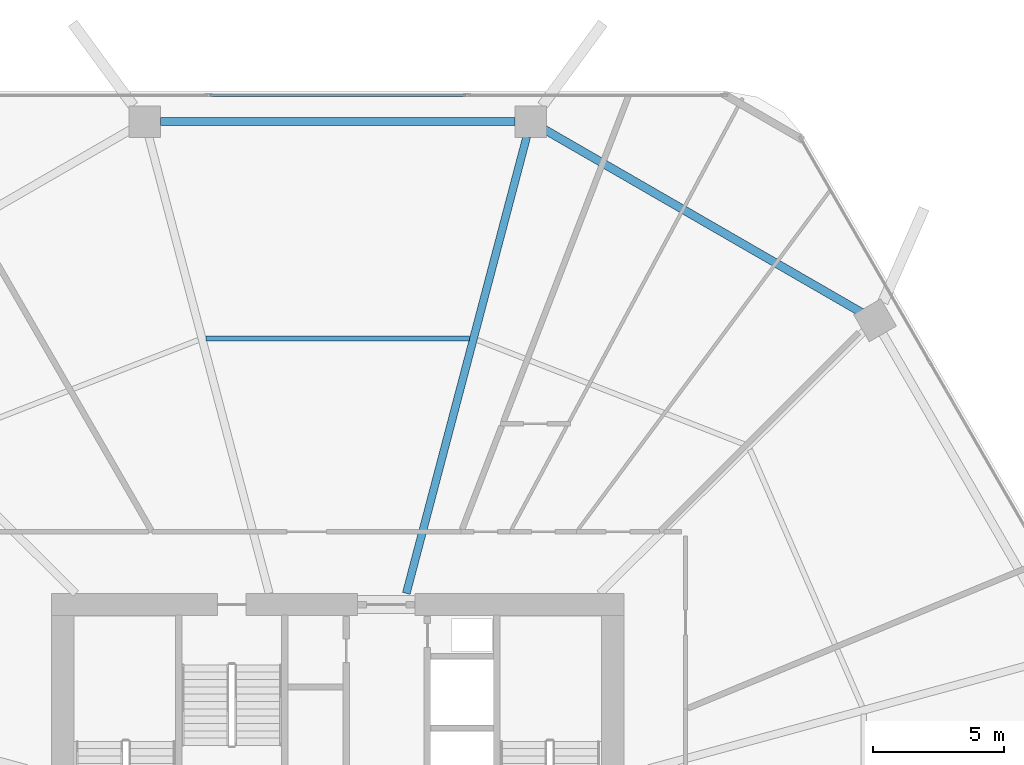
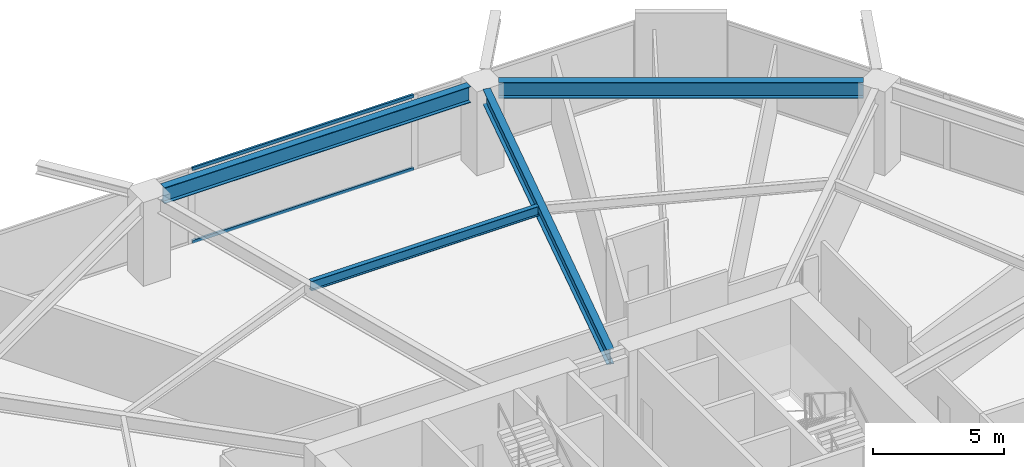
# One storey, part 18 of 25: 4 beams, 2 members, 1 element without a shape of its own.
"""IFC4 building model written with IfcOpenShell, lengths in metres."""

from ifc_helpers import new_model, si_unit, direction, frame, origin, origin_2d, place, context, subcontext, project, spatial, hollow_rectangle, i_section, extrude, material, material_profile, profile_set, type_object, element, aggregate, save


model = new_model("IFC4")

# Units and contexts
model_context = context("Model", 3, precision=1e-05, world=origin(), true_north=direction((0.0, 1.0)))
body_context = subcontext(model_context, "Body", "Model", "MODEL_VIEW")
ifc_project = project(units=[si_unit("LENGTHUNIT", "METRE"), si_unit("AREAUNIT", "SQUARE_METRE"), si_unit("VOLUMEUNIT", "CUBIC_METRE"), si_unit("PLANEANGLEUNIT", "RADIAN"), si_unit("MASSUNIT", "GRAM", prefix="KILO")], contexts=[model_context])

# Site, building, storey
site_placement = place(None, origin())
site = spatial("IfcSite", under=ifc_project, at=site_placement, CompositionType="ELEMENT")
building_placement = place(site_placement, origin())
building = spatial("IfcBuilding", under=site, at=building_placement, Name="Zuhravey Tower", CompositionType="ELEMENT")
storey_placement = place(building_placement, frame((0.0, 0.0, 70.800048828125)))
storey = spatial("IfcBuildingStorey", under=building, at=storey_placement, Name="L17", CompositionType="ELEMENT", Elevation=70.800048828125)

# Curtain wall, members
ifc_material_1 = material(Name="Thermally broken anodised aluminium", Category="aluminium")
curtain_wall_type = type_object("IfcCurtainWallType", Name="School Low-E Unitised Curtain Wall CW1", PredefinedType="NOTDEFINED", material=ifc_material_1)
curtain_wall_placement = place(storey_placement, origin())
curtain_wall = element("IfcCurtainWall", 1, at=curtain_wall_placement, inside=storey, type_object=curtain_wall_type, Name="L17 CW1 CW-L17-F2-1", PredefinedType="NOTDEFINED")
ifc_material_2 = material(Name="Anodised aluminium", Category="aluminium")
ifc_material_profile_1 = material_profile(ifc_material_2, hollow_rectangle(XDim=0.090087890625, YDim=0.14990234375, WallThickness=0.0048828125, at=origin_2d()), Name="ALU-RHS-90x150x5")
ifc_profile_set_1 = profile_set([ifc_material_profile_1], Name="Anodised aluminium")
member_type = type_object("IfcMemberType", Name="Curtain-Wall Transom 90x150", PredefinedType="USERDEFINED", material=ifc_profile_set_1)
member_1_placement = place(storey_placement, frame((31.11181640625, 60.95849609375, 0.044921875), z_axis=(1.0, 0.0, 0.0), x_axis=(0.0, 1.0, 0.0)))
member_1 = element("IfcMember", 2, at=member_1_placement, type_object=member_type, Name="CW1 transom 2.1", ObjectType="TRANSOM", PredefinedType="USERDEFINED", context=body_context, shape_type="SweptSolid", body=[
    extrude(hollow_rectangle(XDim=0.090087890625, YDim=0.14990234375, WallThickness=0.0048828125, at=origin_2d()), origin(), (0.0, 0.0, 1.0), 9.7763671875),
])
member_2_placement = place(storey_placement, frame((31.11181640625, 60.95849609375, 3.447021484375), z_axis=(1.0, 0.0, 0.0), x_axis=(0.0, 1.0, 0.0)))
member_2 = element("IfcMember", 3, at=member_2_placement, type_object=member_type, Name="CW1 transom 2.2", ObjectType="TRANSOM", PredefinedType="USERDEFINED", context=body_context, shape_type="SweptSolid", body=[
    extrude(hollow_rectangle(XDim=0.090087890625, YDim=0.14990234375, WallThickness=0.0048828125, at=origin_2d()), origin(), (0.0, 0.0, 1.0), 9.7763671875),
])
aggregate(curtain_wall, [member_1, member_2])

# Beams
ifc_material_3 = material(Name="Steel SM355", Category="steel")
ifc_material_profile_2 = material_profile(ifc_material_3, i_section(OverallWidth=0.320068359375, OverallDepth=0.75, WebThickness=0.013916015625, FlangeThickness=0.02490234375, at=origin_2d()), Name="H-750x320x14x25")
ifc_profile_set_2 = profile_set([ifc_material_profile_2], Name="Steel SM355")
beam_type_1 = type_object("IfcBeamType", Name="Perimeter Ring Beam H750x320", PredefinedType="BEAM", material=ifc_profile_set_2)
beam_1_placement = place(storey_placement, frame((55.996826171875, 52.658447265625, 3.544921875), z_axis=(-0.866029969761, 0.499992091414, 0.0), x_axis=(-0.499992091414, -0.866029969761, 0.0)))
element("IfcBeam", 4, at=beam_1_placement, inside=storey, type_object=beam_type_1, Name="L17 PB1 BM-L17-PB-02", PredefinedType="BEAM", context=body_context, shape_type="SweptSolid", body=[
    extrude(i_section(OverallWidth=0.320068359375, OverallDepth=0.75, WebThickness=0.013916015625, FlangeThickness=0.02490234375, at=origin_2d()), origin(), (0.0, 0.0, 1.0), 13.977294921875),
])
beam_2_placement = place(storey_placement, frame((42.76708984375, 59.948486328125, 3.544921875), z_axis=(-1.0, 0.0, 0.0), x_axis=(0.0, -1.0, 0.0)))
element("IfcBeam", 5, at=beam_2_placement, inside=storey, type_object=beam_type_1, Name="L17 PB1 BM-L17-PB-03", PredefinedType="BEAM", context=body_context, shape_type="SweptSolid", body=[
    extrude(i_section(OverallWidth=0.320068359375, OverallDepth=0.75, WebThickness=0.013916015625, FlangeThickness=0.02490234375, at=origin_2d()), origin(), (0.0, 0.0, 1.0), 13.5341796875),
])
ifc_material_profile_3 = material_profile(ifc_material_3, i_section(OverallWidth=0.300048828125, OverallDepth=0.699951171875, WebThickness=0.012939453125, FlangeThickness=0.02392578125, at=origin_2d()), Name="H-700x300x13x24")
ifc_profile_set_3 = profile_set([ifc_material_profile_3], Name="Steel SM355")
beam_type_2 = type_object("IfcBeamType", Name="Radial Primary Girder H700x300", PredefinedType="BEAM", material=ifc_profile_set_3)
beam_3_placement = place(storey_placement, frame((38.617919921875, 41.927978515625, 3.570068359375), z_axis=(0.254989720435, 0.966943763862, 0.0), x_axis=(-0.966943763862, 0.254989720435, 0.0)))
element("IfcBeam", 6, at=beam_3_placement, inside=storey, type_object=beam_type_2, Name="L17 RG1 BM-L17-RAD-03", PredefinedType="BEAM", context=body_context, shape_type="SweptSolid", body=[
    extrude(i_section(OverallWidth=0.300048828125, OverallDepth=0.699951171875, WebThickness=0.012939453125, FlangeThickness=0.02392578125, at=origin_2d()), origin(), (0.0, 0.0, 1.0), 18.03369140625),
])
ifc_material_profile_4 = material_profile(ifc_material_3, i_section(OverallWidth=0.199951171875, OverallDepth=0.449951171875, WebThickness=0.009033203125, FlangeThickness=0.013916015625, at=origin_2d()), Name="H-450x200x9x14")
ifc_profile_set_4 = profile_set([ifc_material_profile_4], Name="Steel SM355")
beam_type_3 = type_object("IfcBeamType", Name="Secondary Floor Joist H450x200", PredefinedType="JOIST", material=ifc_profile_set_4)
beam_4_placement = place(storey_placement, frame((41.030029296875, 51.6591796875, 3.695068359375), z_axis=(-1.0, 0.0, 0.0), x_axis=(0.0, -1.0, 0.0)))
element("IfcBeam", 7, at=beam_4_placement, inside=storey, type_object=beam_type_3, Name="L17 SJ1 BM-L17-SJ-03-1", PredefinedType="JOIST", context=body_context, shape_type="SweptSolid", body=[
    extrude(i_section(OverallWidth=0.199951171875, OverallDepth=0.449951171875, WebThickness=0.009033203125, FlangeThickness=0.013916015625, at=origin_2d()), origin(), (0.0, 0.0, 1.0), 10.06005859375),
])

save(model, "model.ifc")
